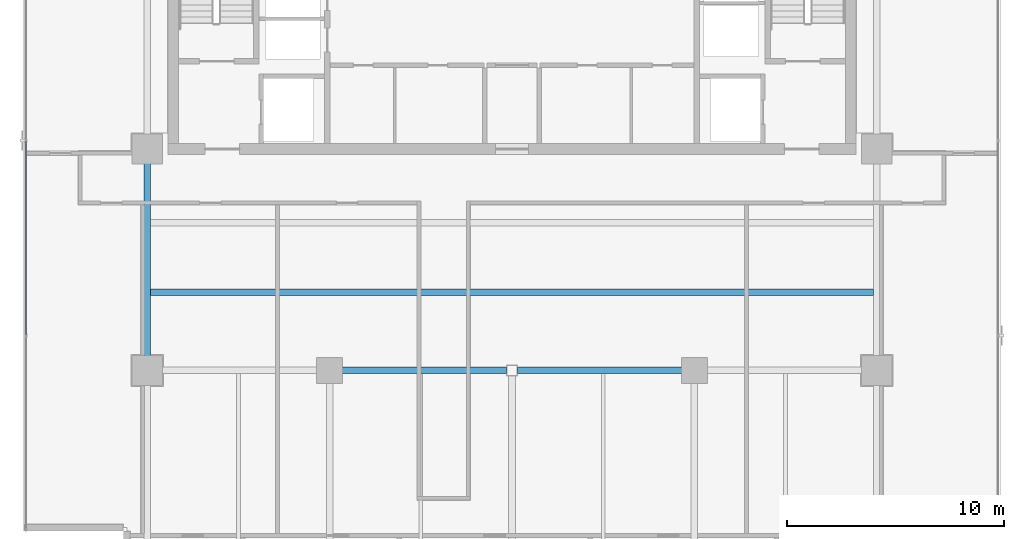
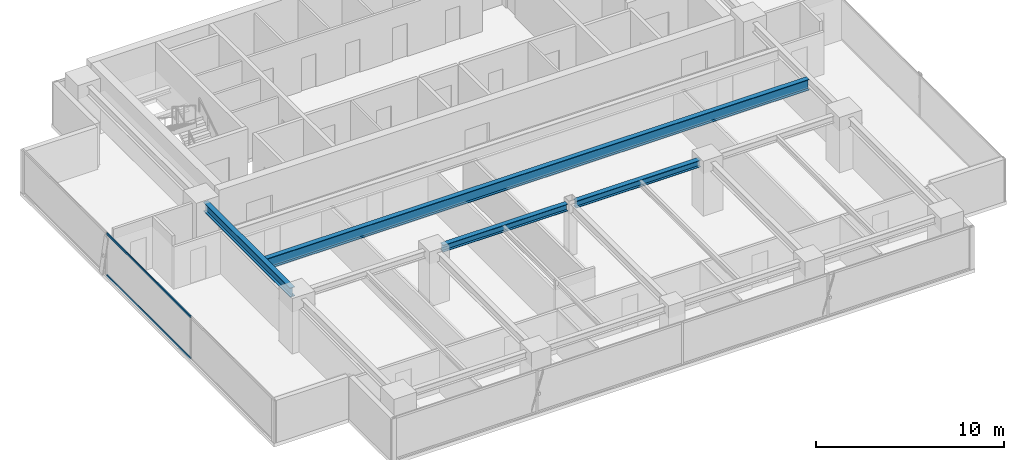
# One storey, part 8 of 27: 4 beams, 2 members, 1 element without a shape of its own.
"""IFC4 building model written with IfcOpenShell, lengths in metres."""

import ifcopenshell
import ifcopenshell.guid

model = None  # the IFC model being written
_history = None  # IfcOwnerHistory: only IFC2X3 demands one
_inside = {}  # id of a spatial element -> (the spatial element, [elements in it])
_under = {}  # id of a project, library or spatial element -> (it, [spatial elements below it])
_declared = {}  # id of a project -> (the project, [libraries it declares])
_typed = {}  # id of a type object -> (the type object, [elements of that type])
_made_of = {}  # id of a material, layer set ... -> (it, [elements and type objects made of it])


def new_model(schema):
    """Start an empty IFC model of exactly this schema.

    Asked for "IFC4X3", IfcOpenShell would pick the latest addendum, in which some entities
    have other attributes; the version numbers below select the first issue.
    IFC2X3 requires an IfcOwnerHistory on every rooted entity: one is made here for all.
    """
    global model, _history
    if schema == "IFC4X3":
        model = ifcopenshell.file(schema_version=(4, 3, 0, 0))
    else:
        model = ifcopenshell.file(schema=schema)
    _inside.clear()
    _under.clear()
    _declared.clear()
    _typed.clear()
    _made_of.clear()
    _history = None
    if model.schema == "IFC2X3":
        org = make("IfcOrganization", Name="unknown")
        user = make(
            "IfcPersonAndOrganization",
            ThePerson=make("IfcPerson", FamilyName="unknown"),
            TheOrganization=org,
        )
        app = make(
            "IfcApplication",
            ApplicationDeveloper=org,
            Version="unknown",
            ApplicationFullName="unknown",
            ApplicationIdentifier="unknown",
        )
        _history = make(
            "IfcOwnerHistory",
            OwningUser=user,
            OwningApplication=app,
            ChangeAction="ADDED",
            CreationDate=0,
        )
    return model


def make(cls, **values):
    """One entity of the class cls with the attributes given. An attribute that is None is left unset."""
    return model.create_entity(
        cls, **{name: value for name, value in values.items() if value is not None}
    )


def rooted(cls, **values):
    """An entity with a GlobalId (a new one), such as an element, a storey or a relation."""
    return make(cls, GlobalId=ifcopenshell.guid.new(), OwnerHistory=_history, **values)


def si_unit(unit_type, name, prefix=None):
    """IfcSIUnit, for example si_unit("LENGTHUNIT", "METRE", prefix="MILLI")."""
    return make("IfcSIUnit", UnitType=unit_type, Prefix=prefix, Name=name)


def assignment(units):
    """IfcUnitAssignment: the units of a project."""
    return None if units is None else make("IfcUnitAssignment", Units=units)


def point(xyz):
    """IfcCartesianPoint."""
    return None if xyz is None else make("IfcCartesianPoint", Coordinates=xyz)


def direction(xyz):
    """IfcDirection."""
    return None if xyz is None else make("IfcDirection", DirectionRatios=xyz)


def frame(location, z_axis=None, x_axis=None):
    """IfcAxis2Placement3D, a coordinate frame: its origin and axes. An axis left out is left unset."""
    return make(
        "IfcAxis2Placement3D",
        Location=point(location),
        Axis=direction(z_axis),
        RefDirection=direction(x_axis),
    )


def frame_2d(location, x_axis=None):
    """IfcAxis2Placement2D, a coordinate frame in the plane: its origin and x axis."""
    return make(
        "IfcAxis2Placement2D", Location=point(location), RefDirection=direction(x_axis)
    )


def origin():
    """The frame at (0, 0, 0) with its axes left unset."""
    return frame((0.0, 0.0, 0.0))


def origin_2d():
    """The frame at (0, 0) in the plane with its x axis left unset."""
    return frame_2d((0.0, 0.0))


def place(relative_to, where):
    """IfcLocalPlacement: puts the frame where relative to a parent placement (None: the world)."""
    return make(
        "IfcLocalPlacement", PlacementRelTo=relative_to, RelativePlacement=where
    )


def context(
    kind, dimensions, precision=None, world=None, true_north=None, identifier=None
):
    """IfcGeometricRepresentationContext, for example the 3D "Model" context."""
    return make(
        "IfcGeometricRepresentationContext",
        ContextIdentifier=identifier,
        ContextType=kind,
        CoordinateSpaceDimension=dimensions,
        Precision=precision,
        WorldCoordinateSystem=world,
        TrueNorth=true_north,
    )


def subcontext(parent, identifier, kind, view, scale=None):
    """IfcGeometricRepresentationSubContext, for example "Body" below "Model"."""
    return make(
        "IfcGeometricRepresentationSubContext",
        ContextIdentifier=identifier,
        ContextType=kind,
        ParentContext=parent,
        TargetScale=scale,
        TargetView=view,
    )


def project(units=None, contexts=None):
    """IfcProject with its units and contexts."""
    return rooted(
        "IfcProject",
        Name="project",
        RepresentationContexts=contexts,
        UnitsInContext=assignment(units),
    )


def spatial(cls, under=None, at=None, **own):
    """A site, building, storey or space (cls), placed at a placement, below another one or the project."""
    s = rooted(cls, ObjectPlacement=at, **own)
    if under is not None:
        _under.setdefault(under.id(), (under, []))[1].append(s)
    return s


def profile(cls, at=None, kind="AREA", **sizes):
    """A parametric profile (cls). Its sizes go by their IFC names, for example OverallWidth=200.0."""
    return make(cls, ProfileType=kind, Position=at, **sizes)


def hollow_rectangle(**sizes):
    """IfcRectangleHollowProfileDef."""
    return profile("IfcRectangleHollowProfileDef", **sizes)


def i_section(**sizes):
    """IfcIShapeProfileDef."""
    return profile("IfcIShapeProfileDef", **sizes)


def extrude(swept, where, along, depth):
    """IfcExtrudedAreaSolid: the profile swept, set in the frame where, extruded along a direction by depth."""
    return make(
        "IfcExtrudedAreaSolid",
        SweptArea=swept,
        Position=where,
        ExtrudedDirection=direction(along),
        Depth=depth,
    )


def shape(context_of_items, identifier, shape_type, items):
    """IfcShapeRepresentation: the items that make up one representation, for example the "Body"."""
    return make(
        "IfcShapeRepresentation",
        ContextOfItems=context_of_items,
        RepresentationIdentifier=identifier,
        RepresentationType=shape_type,
        Items=items,
    )


def source(mapping_origin, context_of_items, identifier, shape_type, items):
    """IfcRepresentationMap: a shape defined once, which mapped items show again and again."""
    return make(
        "IfcRepresentationMap",
        MappingOrigin=mapping_origin,
        MappedRepresentation=shape(context_of_items, identifier, shape_type, items),
    )


def transform(
    local_origin,
    x_axis=None,
    y_axis=None,
    z_axis=None,
    scale=None,
    scale2=None,
    scale3=None,
    uniform=True,
):
    """IfcCartesianTransformationOperator3D, or its non-uniform kind. x_axis, y_axis, z_axis: its Axis1, 2, 3."""
    if uniform:
        return make(
            "IfcCartesianTransformationOperator3D",
            Axis1=direction(x_axis),
            Axis2=direction(y_axis),
            LocalOrigin=point(local_origin),
            Scale=scale,
            Axis3=direction(z_axis),
        )
    return make(
        "IfcCartesianTransformationOperator3DnonUniform",
        Axis1=direction(x_axis),
        Axis2=direction(y_axis),
        LocalOrigin=point(local_origin),
        Scale=scale,
        Axis3=direction(z_axis),
        Scale2=scale2,
        Scale3=scale3,
    )


def mapped(mapping_source, mapping_target):
    """IfcMappedItem: shows the shape of a source again, moved by a transform."""
    return make(
        "IfcMappedItem", MappingSource=mapping_source, MappingTarget=mapping_target
    )


def material(Name=None, Category=None):
    """IfcMaterial."""
    return make("IfcMaterial", Name=Name, Category=Category)


def layer(
    of_material, thickness, ventilated=None, Name=None, Category=None, Priority=None
):
    """IfcMaterialLayer: one layer of a wall or slab, of a material (None: an air gap)."""
    return make(
        "IfcMaterialLayer",
        Material=of_material,
        LayerThickness=thickness,
        IsVentilated=ventilated,
        Name=Name,
        Category=Category,
        Priority=Priority,
    )


def layer_set(layers, Name=None):
    """IfcMaterialLayerSet."""
    return make("IfcMaterialLayerSet", MaterialLayers=layers, LayerSetName=Name)


def material_profile(
    of_material, cross_section, Name=None, Category=None, Priority=None
):
    """IfcMaterialProfile: a cross section and its material."""
    return make(
        "IfcMaterialProfile",
        Name=Name,
        Material=of_material,
        Profile=cross_section,
        Priority=Priority,
        Category=Category,
    )


def profile_set(profiles, Name=None, composite=None):
    """IfcMaterialProfileSet."""
    return make(
        "IfcMaterialProfileSet",
        Name=Name,
        MaterialProfiles=profiles,
        CompositeProfile=composite,
    )


def made_of(thing, what):
    """Note that an element or type object is made of a material, layer set ...; save() writes the relation."""
    if what is not None:
        _made_of.setdefault(what.id(), (what, []))[1].append(thing)
    return thing


def type_object(cls, material=None, **own):
    """A type object (cls), such as IfcWallType, which elements share."""
    return made_of(rooted(cls, **own), material)


def element(
    cls,
    number,
    at=None,
    inside=None,
    cuts=None,
    type_object=None,
    material=None,
    context=None,
    identifier="Body",
    shape_type=None,
    held_by="IfcProductDefinitionShape",
    body=None,
    shapes=None,
    **own,
):
    """One element of the class cls, such as IfcWall. Its Tag is "e" and its number.

    at: its placement. inside: the storey or other place that contains it. cuts: it is an
    opening in that element (IfcRelVoidsElement). A single representation is given by context,
    identifier, shape_type and body (its items); several are given by shapes. held_by: the class
    of the entity that holds the representations. save() writes the other relations.
    """
    e = rooted(cls, Tag="e%d" % number, ObjectPlacement=at, **own)
    if body is not None:
        shapes = [shape(context, identifier, shape_type, body)]
    if shapes is not None:
        e.Representation = make(held_by, Representations=shapes)
    if inside is not None:
        _inside.setdefault(inside.id(), (inside, []))[1].append(e)
    if cuts is not None:
        rooted(
            "IfcRelVoidsElement", RelatingBuildingElement=cuts, RelatedOpeningElement=e
        )
    if type_object is not None:
        _typed.setdefault(type_object.id(), (type_object, []))[1].append(e)
    return made_of(e, material)


def aggregate(whole, parts):
    """IfcRelAggregates: a whole, such as a stair, and the parts it consists of."""
    return rooted("IfcRelAggregates", RelatingObject=whole, RelatedObjects=parts)


def save(model, path):
    """Write the relations noted so far, then the file.

    IfcRelAggregates (storeys below a building ...), IfcRelContainedInSpatialStructure (elements
    in a storey), IfcRelDefinesByType, IfcRelAssociatesMaterial and IfcRelDeclares: one each for
    every whole, place, type object, material and project.
    """
    for whole, parts in _under.values():
        aggregate(whole, parts)
    for where, things in _inside.values():
        rooted(
            "IfcRelContainedInSpatialStructure",
            RelatedElements=things,
            RelatingStructure=where,
        )
    for kind, things in _typed.values():
        rooted("IfcRelDefinesByType", RelatedObjects=things, RelatingType=kind)
    for what, things in _made_of.values():
        rooted("IfcRelAssociatesMaterial", RelatedObjects=things, RelatingMaterial=what)
    for by, libraries in _declared.values():
        rooted("IfcRelDeclares", RelatingContext=by, RelatedDefinitions=libraries)
    model.write(path)


model = new_model("IFC4")

# Units and contexts
model_context = context("Model", 3, precision=1e-05, world=origin(), true_north=direction((0.0, 1.0)))
body_context = subcontext(model_context, "Body", "Model", "MODEL_VIEW")
ifc_project = project(units=[si_unit("LENGTHUNIT", "METRE"), si_unit("AREAUNIT", "SQUARE_METRE"), si_unit("VOLUMEUNIT", "CUBIC_METRE"), si_unit("PLANEANGLEUNIT", "RADIAN"), si_unit("MASSUNIT", "GRAM", prefix="KILO")], contexts=[model_context])

# Site, building, storey
site_placement = place(None, origin())
site = spatial("IfcSite", under=ifc_project, at=site_placement, CompositionType="ELEMENT")
building_placement = place(site_placement, origin())
building = spatial("IfcBuilding", under=site, at=building_placement, Name="Sumidabori Civic Tower", CompositionType="ELEMENT")
storey_placement = place(building_placement, frame((0.0, 0.0, 257.60009765625)))
storey = spatial("IfcBuildingStorey", under=building, at=storey_placement, Name="L67", CompositionType="ELEMENT", Elevation=257.60009765625)

# Beams
ifc_material_1 = material(Name="Steel SN490", Category="steel")
ifc_material_profile_1 = material_profile(ifc_material_1, i_section(OverallWidth=0.300048828125, OverallDepth=0.60009765625, WebThickness=0.015380859375, FlangeThickness=0.030029296875, at=origin_2d()), Name="HE 600 B")
ifc_profile_set_1 = profile_set([ifc_material_profile_1], Name="Steel SN490")
beam_type_1 = type_object("IfcBeamType", Name="BM-GIRD-600", PredefinedType="BEAM", material=ifc_profile_set_1)
shared_shape_1 = source(origin(), body_context, "Body", "SweptSolid", [
    extrude(i_section(OverallWidth=0.300048828125, OverallDepth=0.60009765625, WebThickness=0.015380859375, FlangeThickness=0.030029296875, at=origin_2d()), origin(), (0.0, 0.0, 1.0), 9.239990234375),
])
beam_1_placement = place(storey_placement, frame((-16.800048828125, 0.47998046875, 3.06982421875), z_axis=(0.0, 1.0, 0.0), x_axis=(-1.0, 0.0, 0.0)))
element("IfcBeam", 1, at=beam_1_placement, inside=storey, type_object=beam_type_1, Name="Primary Girder L67 GY-10", PredefinedType="BEAM", context=body_context, shape_type="MappedRepresentation", body=[
    mapped(shared_shape_1, transform((0.0, 0.0, 0.0), x_axis=(1.0, 0.0, 0.0), y_axis=(0.0, 1.0, 0.0), z_axis=(0.0, 0.0, 1.0), scale=1.0)),
])
ifc_material_profile_2 = material_profile(ifc_material_1, i_section(OverallWidth=0.300048828125, OverallDepth=0.699951171875, WebThickness=0.01708984375, FlangeThickness=0.031982421875, at=origin_2d()), Name="HE 700 B")
ifc_profile_set_2 = profile_set([ifc_material_profile_2], Name="Steel SN490")
beam_type_2 = type_object("IfcBeamType", Name="BM-GIRD-700", PredefinedType="BEAM", material=ifc_profile_set_2)
shared_shape_2 = source(origin(), body_context, "Body", "SweptSolid", [
    extrude(i_section(OverallWidth=0.300048828125, OverallDepth=0.699951171875, WebThickness=0.01708984375, FlangeThickness=0.031982421875, at=origin_2d()), origin(), (0.0, 0.0, 1.0), 33.2998046875),
])
beam_2_placement = place(storey_placement, frame((-16.64990234375, 3.60009765625, 3.02001953125), z_axis=(1.0, 0.0, 0.0), x_axis=(0.0, 1.0, 0.0)))
element("IfcBeam", 2, at=beam_2_placement, inside=storey, type_object=beam_type_2, Name="North Bay Floor Beam L67 JSTN-18", PredefinedType="BEAM", context=body_context, shape_type="MappedRepresentation", body=[
    mapped(shared_shape_2, transform((0.0, 0.0, 0.0), x_axis=(1.0, 0.0, 0.0), y_axis=(0.0, 1.0, 0.0), z_axis=(0.0, 0.0, 1.0), scale=1.0)),
])
ifc_material_profile_3 = material_profile(ifc_material_1, i_section(OverallWidth=0.300048828125, OverallDepth=0.449951171875, WebThickness=0.013916015625, FlangeThickness=0.02587890625, at=origin_2d()), Name="HE 450 B")
ifc_profile_set_3 = profile_set([ifc_material_profile_3], Name="Steel SN490")
beam_type_3 = type_object("IfcBeamType", Name="BM-GIRD-450", PredefinedType="BEAM", material=ifc_profile_set_3)
shared_shape_3 = source(origin(), body_context, "Body", "SweptSolid", [
    extrude(i_section(OverallWidth=0.300048828125, OverallDepth=0.449951171875, WebThickness=0.013916015625, FlangeThickness=0.02587890625, at=origin_2d()), origin(), (0.0, 0.0, 1.0), 7.669921875),
])
for number, where, z_axis, x_axis, name in (
    (3, (-7.919921875, 0.0, 3.14501953125), (1.0, 0.0, 0.0), (0.0, 1.0, 0.0), "Primary Girder L67 GX-06"),
    (4, (0.25, 0.0, 3.14501953125), (1.0, 0.0, 0.0), (0.0, 1.0, 0.0), "Primary Girder L67 GX-07"),
):
    element("IfcBeam", number, at=place(storey_placement, frame(where, z_axis=z_axis, x_axis=x_axis)), inside=storey, type_object=beam_type_3, Name=name, PredefinedType="BEAM", context=body_context, shape_type="MappedRepresentation", body=[
        mapped(shared_shape_3, transform((0.0, 0.0, 0.0), x_axis=(1.0, 0.0, 0.0), y_axis=(0.0, 1.0, 0.0), z_axis=(0.0, 0.0, 1.0), scale=1.0)),
    ])

# Curtain wall, members
ifc_material_2 = material(Name="Anodised Bronze Aluminium AW-6063-T6", Category="aluminium")
ifc_layer = layer(ifc_material_2, 0.179931640625, Name="Anodised Bronze Aluminium AW-6063-T6")
ifc_layer_set = layer_set([ifc_layer], Name="Anodised Bronze Aluminium AW-6063-T6")
curtain_wall_type = type_object("IfcCurtainWallType", Name="CW-SYS-5", PredefinedType="NOTDEFINED", material=ifc_layer_set)
curtain_wall_placement = place(storey_placement, origin())
curtain_wall = element("IfcCurtainWall", 5, at=curtain_wall_placement, inside=storey, type_object=curtain_wall_type, Name="Curtain Wall CW:L67:R10", PredefinedType="NOTDEFINED")
ifc_material_profile_4 = material_profile(ifc_material_2, hollow_rectangle(XDim=0.06005859375, YDim=0.1298828125, WallThickness=0.0048828125, at=origin_2d()), Name="ALU TRANSOM 130x60")
ifc_profile_set_4 = profile_set([ifc_material_profile_4], Name="Anodised Bronze Aluminium AW-6063-T6")
member_type = type_object("IfcMemberType", Name="CW-TRN-130", PredefinedType="USERDEFINED", material=ifc_profile_set_4)
shared_shape_4 = source(origin(), body_context, "Body", "SweptSolid", [
    extrude(hollow_rectangle(XDim=0.06005859375, YDim=0.1298828125, WallThickness=0.0048828125, at=origin_2d()), origin(), (0.0, 0.0, 1.0), 8.920166015625),
])
member_1_placement = place(storey_placement, frame((-22.3798828125, 10.56005859375, 0.02978515625), z_axis=(0.0, -1.0, 0.0), x_axis=(1.0, 0.0, 0.0)))
member_1 = element("IfcMember", 6, at=member_1_placement, type_object=member_type, Name="CW-5 transom 2.1", ObjectType="TRANSOM", PredefinedType="USERDEFINED", context=body_context, shape_type="MappedRepresentation", body=[
    mapped(shared_shape_4, transform((0.0, 0.0, 0.0), x_axis=(1.0, 0.0, 0.0), y_axis=(0.0, 1.0, 0.0), z_axis=(0.0, 0.0, 1.0), scale=1.0)),
])
member_2_placement = place(storey_placement, frame((-22.3798828125, 10.56005859375, 2.719970703125), z_axis=(0.0, -1.0, 0.0), x_axis=(1.0, 0.0, 0.0)))
member_2 = element("IfcMember", 7, at=member_2_placement, type_object=member_type, Name="CW-5 transom 2.2", ObjectType="TRANSOM", PredefinedType="USERDEFINED", context=body_context, shape_type="MappedRepresentation", body=[
    mapped(shared_shape_4, transform((0.0, 0.0, 0.0), x_axis=(1.0, 0.0, 0.0), y_axis=(0.0, 1.0, 0.0), z_axis=(0.0, 0.0, 1.0), scale=1.0)),
])
aggregate(curtain_wall, [member_1, member_2])

save(model, "model.ifc")
